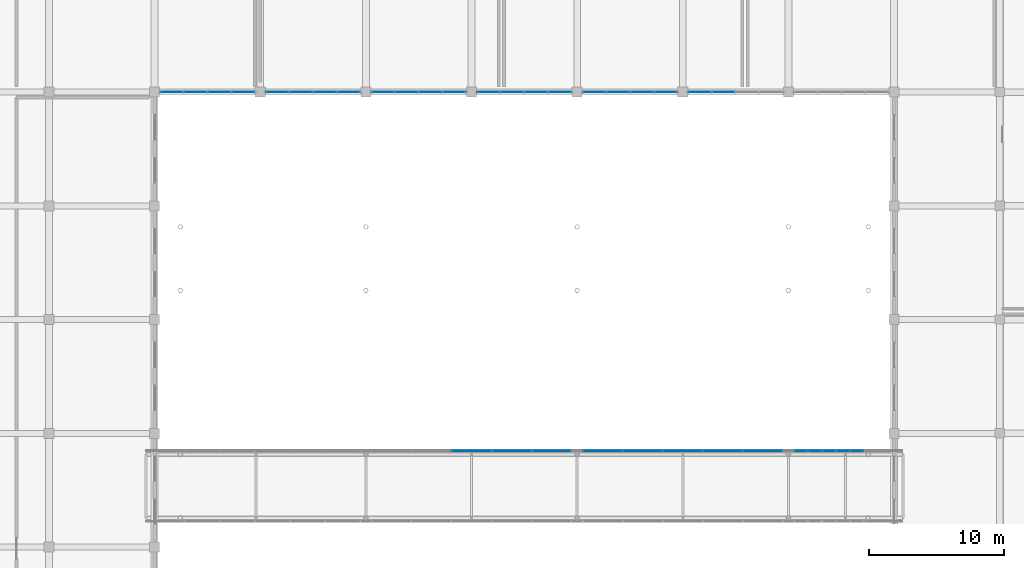
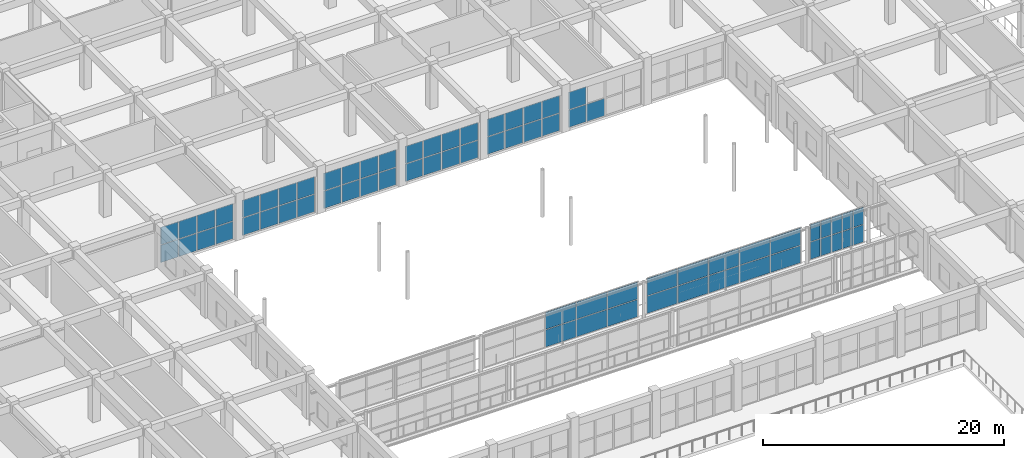
# One storey, part 144 of 175: 69 plates, 9 elements without a shape of their own.
"""IFC4 building model written with IfcOpenShell, lengths in metres."""

import ifcopenshell
import ifcopenshell.guid

model = None  # the IFC model being written
_history = None  # IfcOwnerHistory: only IFC2X3 demands one
_inside = {}  # id of a spatial element -> (the spatial element, [elements in it])
_under = {}  # id of a project, library or spatial element -> (it, [spatial elements below it])
_declared = {}  # id of a project -> (the project, [libraries it declares])
_typed = {}  # id of a type object -> (the type object, [elements of that type])
_made_of = {}  # id of a material, layer set ... -> (it, [elements and type objects made of it])


def new_model(schema):
    """Start an empty IFC model of exactly this schema.

    Asked for "IFC4X3", IfcOpenShell would pick the latest addendum, in which some entities
    have other attributes; the version numbers below select the first issue.
    IFC2X3 requires an IfcOwnerHistory on every rooted entity: one is made here for all.
    """
    global model, _history
    if schema == "IFC4X3":
        model = ifcopenshell.file(schema_version=(4, 3, 0, 0))
    else:
        model = ifcopenshell.file(schema=schema)
    _inside.clear()
    _under.clear()
    _declared.clear()
    _typed.clear()
    _made_of.clear()
    _history = None
    if model.schema == "IFC2X3":
        org = make("IfcOrganization", Name="unknown")
        user = make(
            "IfcPersonAndOrganization",
            ThePerson=make("IfcPerson", FamilyName="unknown"),
            TheOrganization=org,
        )
        app = make(
            "IfcApplication",
            ApplicationDeveloper=org,
            Version="unknown",
            ApplicationFullName="unknown",
            ApplicationIdentifier="unknown",
        )
        _history = make(
            "IfcOwnerHistory",
            OwningUser=user,
            OwningApplication=app,
            ChangeAction="ADDED",
            CreationDate=0,
        )
    return model


def make(cls, **values):
    """One entity of the class cls with the attributes given. An attribute that is None is left unset."""
    return model.create_entity(
        cls, **{name: value for name, value in values.items() if value is not None}
    )


def rooted(cls, **values):
    """An entity with a GlobalId (a new one), such as an element, a storey or a relation."""
    return make(cls, GlobalId=ifcopenshell.guid.new(), OwnerHistory=_history, **values)


def si_unit(unit_type, name, prefix=None):
    """IfcSIUnit, for example si_unit("LENGTHUNIT", "METRE", prefix="MILLI")."""
    return make("IfcSIUnit", UnitType=unit_type, Prefix=prefix, Name=name)


def assignment(units):
    """IfcUnitAssignment: the units of a project."""
    return None if units is None else make("IfcUnitAssignment", Units=units)


def point(xyz):
    """IfcCartesianPoint."""
    return None if xyz is None else make("IfcCartesianPoint", Coordinates=xyz)


def direction(xyz):
    """IfcDirection."""
    return None if xyz is None else make("IfcDirection", DirectionRatios=xyz)


def frame(location, z_axis=None, x_axis=None):
    """IfcAxis2Placement3D, a coordinate frame: its origin and axes. An axis left out is left unset."""
    return make(
        "IfcAxis2Placement3D",
        Location=point(location),
        Axis=direction(z_axis),
        RefDirection=direction(x_axis),
    )


def frame_2d(location, x_axis=None):
    """IfcAxis2Placement2D, a coordinate frame in the plane: its origin and x axis."""
    return make(
        "IfcAxis2Placement2D", Location=point(location), RefDirection=direction(x_axis)
    )


def origin():
    """The frame at (0, 0, 0) with its axes left unset."""
    return frame((0.0, 0.0, 0.0))


def origin_2d():
    """The frame at (0, 0) in the plane with its x axis left unset."""
    return frame_2d((0.0, 0.0))


def place(relative_to, where):
    """IfcLocalPlacement: puts the frame where relative to a parent placement (None: the world)."""
    return make(
        "IfcLocalPlacement", PlacementRelTo=relative_to, RelativePlacement=where
    )


def context(
    kind, dimensions, precision=None, world=None, true_north=None, identifier=None
):
    """IfcGeometricRepresentationContext, for example the 3D "Model" context."""
    return make(
        "IfcGeometricRepresentationContext",
        ContextIdentifier=identifier,
        ContextType=kind,
        CoordinateSpaceDimension=dimensions,
        Precision=precision,
        WorldCoordinateSystem=world,
        TrueNorth=true_north,
    )


def subcontext(parent, identifier, kind, view, scale=None):
    """IfcGeometricRepresentationSubContext, for example "Body" below "Model"."""
    return make(
        "IfcGeometricRepresentationSubContext",
        ContextIdentifier=identifier,
        ContextType=kind,
        ParentContext=parent,
        TargetScale=scale,
        TargetView=view,
    )


def project(units=None, contexts=None):
    """IfcProject with its units and contexts."""
    return rooted(
        "IfcProject",
        Name="project",
        RepresentationContexts=contexts,
        UnitsInContext=assignment(units),
    )


def spatial(cls, under=None, at=None, **own):
    """A site, building, storey or space (cls), placed at a placement, below another one or the project."""
    s = rooted(cls, ObjectPlacement=at, **own)
    if under is not None:
        _under.setdefault(under.id(), (under, []))[1].append(s)
    return s


def profile(cls, at=None, kind="AREA", **sizes):
    """A parametric profile (cls). Its sizes go by their IFC names, for example OverallWidth=200.0."""
    return make(cls, ProfileType=kind, Position=at, **sizes)


def rectangle(**sizes):
    """IfcRectangleProfileDef."""
    return profile("IfcRectangleProfileDef", **sizes)


def extrude(swept, where, along, depth):
    """IfcExtrudedAreaSolid: the profile swept, set in the frame where, extruded along a direction by depth."""
    return make(
        "IfcExtrudedAreaSolid",
        SweptArea=swept,
        Position=where,
        ExtrudedDirection=direction(along),
        Depth=depth,
    )


def shape(context_of_items, identifier, shape_type, items):
    """IfcShapeRepresentation: the items that make up one representation, for example the "Body"."""
    return make(
        "IfcShapeRepresentation",
        ContextOfItems=context_of_items,
        RepresentationIdentifier=identifier,
        RepresentationType=shape_type,
        Items=items,
    )


def material(Name=None, Category=None):
    """IfcMaterial."""
    return make("IfcMaterial", Name=Name, Category=Category)


def layer(
    of_material, thickness, ventilated=None, Name=None, Category=None, Priority=None
):
    """IfcMaterialLayer: one layer of a wall or slab, of a material (None: an air gap)."""
    return make(
        "IfcMaterialLayer",
        Material=of_material,
        LayerThickness=thickness,
        IsVentilated=ventilated,
        Name=Name,
        Category=Category,
        Priority=Priority,
    )


def layer_set(layers, Name=None):
    """IfcMaterialLayerSet."""
    return make("IfcMaterialLayerSet", MaterialLayers=layers, LayerSetName=Name)


def made_of(thing, what):
    """Note that an element or type object is made of a material, layer set ...; save() writes the relation."""
    if what is not None:
        _made_of.setdefault(what.id(), (what, []))[1].append(thing)
    return thing


def type_object(cls, material=None, **own):
    """A type object (cls), such as IfcWallType, which elements share."""
    return made_of(rooted(cls, **own), material)


def element(
    cls,
    number,
    at=None,
    inside=None,
    cuts=None,
    type_object=None,
    material=None,
    context=None,
    identifier="Body",
    shape_type=None,
    held_by="IfcProductDefinitionShape",
    body=None,
    shapes=None,
    **own,
):
    """One element of the class cls, such as IfcWall. Its Tag is "e" and its number.

    at: its placement. inside: the storey or other place that contains it. cuts: it is an
    opening in that element (IfcRelVoidsElement). A single representation is given by context,
    identifier, shape_type and body (its items); several are given by shapes. held_by: the class
    of the entity that holds the representations. save() writes the other relations.
    """
    e = rooted(cls, Tag="e%d" % number, ObjectPlacement=at, **own)
    if body is not None:
        shapes = [shape(context, identifier, shape_type, body)]
    if shapes is not None:
        e.Representation = make(held_by, Representations=shapes)
    if inside is not None:
        _inside.setdefault(inside.id(), (inside, []))[1].append(e)
    if cuts is not None:
        rooted(
            "IfcRelVoidsElement", RelatingBuildingElement=cuts, RelatedOpeningElement=e
        )
    if type_object is not None:
        _typed.setdefault(type_object.id(), (type_object, []))[1].append(e)
    return made_of(e, material)


def aggregate(whole, parts):
    """IfcRelAggregates: a whole, such as a stair, and the parts it consists of."""
    return rooted("IfcRelAggregates", RelatingObject=whole, RelatedObjects=parts)


def save(model, path):
    """Write the relations noted so far, then the file.

    IfcRelAggregates (storeys below a building ...), IfcRelContainedInSpatialStructure (elements
    in a storey), IfcRelDefinesByType, IfcRelAssociatesMaterial and IfcRelDeclares: one each for
    every whole, place, type object, material and project.
    """
    for whole, parts in _under.values():
        aggregate(whole, parts)
    for where, things in _inside.values():
        rooted(
            "IfcRelContainedInSpatialStructure",
            RelatedElements=things,
            RelatingStructure=where,
        )
    for kind, things in _typed.values():
        rooted("IfcRelDefinesByType", RelatedObjects=things, RelatingType=kind)
    for what, things in _made_of.values():
        rooted("IfcRelAssociatesMaterial", RelatedObjects=things, RelatingMaterial=what)
    for by, libraries in _declared.values():
        rooted("IfcRelDeclares", RelatingContext=by, RelatedDefinitions=libraries)
    model.write(path)


model = new_model("IFC4")

# Units and contexts
model_context = context("Model", 3, precision=1e-05, world=origin(), true_north=direction((0.0, 1.0)))
body_context = subcontext(model_context, "Body", "Model", "MODEL_VIEW")
ifc_project = project(units=[si_unit("LENGTHUNIT", "METRE"), si_unit("AREAUNIT", "SQUARE_METRE"), si_unit("VOLUMEUNIT", "CUBIC_METRE"), si_unit("PLANEANGLEUNIT", "RADIAN"), si_unit("MASSUNIT", "GRAM", prefix="KILO")], contexts=[model_context])

# Site, building, storey
site_placement = place(None, origin())
site = spatial("IfcSite", under=ifc_project, at=site_placement, CompositionType="ELEMENT")
building_placement = place(site_placement, origin())
building = spatial("IfcBuilding", under=site, at=building_placement, Name="Zizhar Promenade General Hospital", CompositionType="ELEMENT")
storey_placement = place(building_placement, frame((0.0, 0.0, 4.800048828125)))
storey = spatial("IfcBuildingStorey", under=building, at=storey_placement, Name="L01", CompositionType="ELEMENT", Elevation=4.800048828125)

# Curtain wall, plates
ifc_material_1 = material(Name="Anodised aluminium 6063-T6 and low-E glass", Category="aluminium")
ifc_layer_1 = layer(ifc_material_1, 0.159912109375)
ifc_layer_set_1 = layer_set([ifc_layer_1], Name="Anodised aluminium 6063-T6 and low-E glass")
curtain_wall_type_1 = type_object("IfcCurtainWallType", Name="CW-DT-MOD1", PredefinedType="NOTDEFINED", material=ifc_layer_set_1)
curtain_wall_1_placement = place(storey_placement, origin())
curtain_wall_1 = element("IfcCurtainWall", 1, at=curtain_wall_1_placement, inside=storey, type_object=curtain_wall_type_1, Name="Garden Court North Surgical Glazing L01-9", PredefinedType="NOTDEFINED")
ifc_material_2 = material(Name="Low-E solar-control glass", Category="glass")
ifc_layer_2 = layer(ifc_material_2, 0.031982421875)
ifc_layer_set_2 = layer_set([ifc_layer_2], Name="Low-E solar-control glass")
plate_type = type_object("IfcPlateType", Name="CWP-GLZ-32", PredefinedType="CURTAIN_PANEL", material=ifc_layer_set_2)
plate_1_placement = place(storey_placement, frame((76.735107421875, 92.39990234375, 0.06005859375), z_axis=(0.0, 0.0, 1.0), x_axis=(-1.0, 0.0, 0.0)))
plate_1 = element("IfcPlate", 2, at=plate_1_placement, type_object=plate_type, Name="CW-07 panel 1.1", PredefinedType="CURTAIN_PANEL", context=body_context, shape_type="SweptSolid", body=[
    extrude(rectangle(XDim=1.64990234375, YDim=0.031982421875, at=origin_2d()), origin(), (0.0, 0.0, 1.0), 1.75),
])
plate_2_placement = place(storey_placement, frame((76.735107421875, 92.39990234375, 1.869873046875), z_axis=(0.0, 0.0, 1.0), x_axis=(-1.0, 0.0, 0.0)))
plate_2 = element("IfcPlate", 3, at=plate_2_placement, type_object=plate_type, Name="CW-07 panel 1.2", PredefinedType="CURTAIN_PANEL", context=body_context, shape_type="SweptSolid", body=[
    extrude(rectangle(XDim=1.64990234375, YDim=0.031982421875, at=origin_2d()), origin(), (0.0, 0.0, 1.0), 1.75),
])
plate_3_placement = place(storey_placement, frame((74.985107421875, 92.39990234375, 0.06005859375), z_axis=(0.0, 0.0, 1.0), x_axis=(-1.0, 0.0, 0.0)))
plate_3 = element("IfcPlate", 4, at=plate_3_placement, type_object=plate_type, Name="CW-07 panel 2.1", PredefinedType="CURTAIN_PANEL", context=body_context, shape_type="SweptSolid", body=[
    extrude(rectangle(XDim=1.68994140625, YDim=0.031982421875, at=origin_2d()), origin(), (0.0, 0.0, 1.0), 1.75),
])
plate_4_placement = place(storey_placement, frame((74.985107421875, 92.39990234375, 1.869873046875), z_axis=(0.0, 0.0, 1.0), x_axis=(-1.0, 0.0, 0.0)))
plate_4 = element("IfcPlate", 5, at=plate_4_placement, type_object=plate_type, Name="CW-07 panel 2.2", PredefinedType="CURTAIN_PANEL", context=body_context, shape_type="SweptSolid", body=[
    extrude(rectangle(XDim=1.68994140625, YDim=0.031982421875, at=origin_2d()), origin(), (0.0, 0.0, 1.0), 1.75),
])
plate_5_placement = place(storey_placement, frame((73.215087890625, 92.39990234375, 0.06005859375), z_axis=(0.0, 0.0, 1.0), x_axis=(-1.0, 0.0, 0.0)))
plate_5 = element("IfcPlate", 6, at=plate_5_placement, type_object=plate_type, Name="CW-07 panel 3.1", PredefinedType="CURTAIN_PANEL", context=body_context, shape_type="SweptSolid", body=[
    extrude(rectangle(XDim=1.68994140625, YDim=0.031982421875, at=origin_2d()), origin(), (0.0, 0.0, 1.0), 1.75),
])
plate_6_placement = place(storey_placement, frame((73.215087890625, 92.39990234375, 1.869873046875), z_axis=(0.0, 0.0, 1.0), x_axis=(-1.0, 0.0, 0.0)))
plate_6 = element("IfcPlate", 7, at=plate_6_placement, type_object=plate_type, Name="CW-07 panel 3.2", PredefinedType="CURTAIN_PANEL", context=body_context, shape_type="SweptSolid", body=[
    extrude(rectangle(XDim=1.68994140625, YDim=0.031982421875, at=origin_2d()), origin(), (0.0, 0.0, 1.0), 1.75),
])
plate_7_placement = place(storey_placement, frame((71.465087890625, 92.39990234375, 0.06005859375), z_axis=(0.0, 0.0, 1.0), x_axis=(-1.0, 0.0, 0.0)))
plate_7 = element("IfcPlate", 8, at=plate_7_placement, type_object=plate_type, Name="CW-07 panel 4.1", PredefinedType="CURTAIN_PANEL", context=body_context, shape_type="SweptSolid", body=[
    extrude(rectangle(XDim=1.64990234375, YDim=0.031982421875, at=origin_2d()), origin(), (0.0, 0.0, 1.0), 1.75),
])
plate_8_placement = place(storey_placement, frame((71.465087890625, 92.39990234375, 1.869873046875), z_axis=(0.0, 0.0, 1.0), x_axis=(-1.0, 0.0, 0.0)))
plate_8 = element("IfcPlate", 9, at=plate_8_placement, type_object=plate_type, Name="CW-07 panel 4.2", PredefinedType="CURTAIN_PANEL", context=body_context, shape_type="SweptSolid", body=[
    extrude(rectangle(XDim=1.64990234375, YDim=0.031982421875, at=origin_2d()), origin(), (0.0, 0.0, 1.0), 1.75),
])
aggregate(curtain_wall_1, [plate_1, plate_2, plate_3, plate_4, plate_5, plate_6, plate_7, plate_8])

curtain_wall_2_placement = place(storey_placement, origin())
curtain_wall_2 = element("IfcCurtainWall", 10, at=curtain_wall_2_placement, inside=storey, type_object=curtain_wall_type_1, Name="Garden Court North Surgical Glazing L01-10", PredefinedType="NOTDEFINED")
plate_9_placement = place(storey_placement, frame((84.534912109375, 92.39990234375, 0.06005859375), z_axis=(0.0, 0.0, 1.0), x_axis=(-1.0, 0.0, 0.0)))
plate_9 = element("IfcPlate", 11, at=plate_9_placement, type_object=plate_type, Name="CW-07 panel 1.1", PredefinedType="CURTAIN_PANEL", context=body_context, shape_type="SweptSolid", body=[
    extrude(rectangle(XDim=1.64990234375, YDim=0.031982421875, at=origin_2d()), origin(), (0.0, 0.0, 1.0), 1.75),
])
plate_10_placement = place(storey_placement, frame((84.534912109375, 92.39990234375, 1.869873046875), z_axis=(0.0, 0.0, 1.0), x_axis=(-1.0, 0.0, 0.0)))
plate_10 = element("IfcPlate", 12, at=plate_10_placement, type_object=plate_type, Name="CW-07 panel 1.2", PredefinedType="CURTAIN_PANEL", context=body_context, shape_type="SweptSolid", body=[
    extrude(rectangle(XDim=1.64990234375, YDim=0.031982421875, at=origin_2d()), origin(), (0.0, 0.0, 1.0), 1.75),
])
plate_11_placement = place(storey_placement, frame((82.784912109375, 92.39990234375, 0.06005859375), z_axis=(0.0, 0.0, 1.0), x_axis=(-1.0, 0.0, 0.0)))
plate_11 = element("IfcPlate", 13, at=plate_11_placement, type_object=plate_type, Name="CW-07 panel 2.1", PredefinedType="CURTAIN_PANEL", context=body_context, shape_type="SweptSolid", body=[
    extrude(rectangle(XDim=1.68994140625, YDim=0.031982421875, at=origin_2d()), origin(), (0.0, 0.0, 1.0), 1.75),
])
plate_12_placement = place(storey_placement, frame((82.784912109375, 92.39990234375, 1.869873046875), z_axis=(0.0, 0.0, 1.0), x_axis=(-1.0, 0.0, 0.0)))
plate_12 = element("IfcPlate", 14, at=plate_12_placement, type_object=plate_type, Name="CW-07 panel 2.2", PredefinedType="CURTAIN_PANEL", context=body_context, shape_type="SweptSolid", body=[
    extrude(rectangle(XDim=1.68994140625, YDim=0.031982421875, at=origin_2d()), origin(), (0.0, 0.0, 1.0), 1.75),
])
plate_13_placement = place(storey_placement, frame((81.014892578125, 92.39990234375, 0.06005859375), z_axis=(0.0, 0.0, 1.0), x_axis=(-1.0, 0.0, 0.0)))
plate_13 = element("IfcPlate", 15, at=plate_13_placement, type_object=plate_type, Name="CW-07 panel 3.1", PredefinedType="CURTAIN_PANEL", context=body_context, shape_type="SweptSolid", body=[
    extrude(rectangle(XDim=1.68994140625, YDim=0.031982421875, at=origin_2d()), origin(), (0.0, 0.0, 1.0), 1.75),
])
plate_14_placement = place(storey_placement, frame((81.014892578125, 92.39990234375, 1.869873046875), z_axis=(0.0, 0.0, 1.0), x_axis=(-1.0, 0.0, 0.0)))
plate_14 = element("IfcPlate", 16, at=plate_14_placement, type_object=plate_type, Name="CW-07 panel 3.2", PredefinedType="CURTAIN_PANEL", context=body_context, shape_type="SweptSolid", body=[
    extrude(rectangle(XDim=1.68994140625, YDim=0.031982421875, at=origin_2d()), origin(), (0.0, 0.0, 1.0), 1.75),
])
plate_15_placement = place(storey_placement, frame((79.264892578125, 92.39990234375, 0.06005859375), z_axis=(0.0, 0.0, 1.0), x_axis=(-1.0, 0.0, 0.0)))
plate_15 = element("IfcPlate", 17, at=plate_15_placement, type_object=plate_type, Name="CW-07 panel 4.1", PredefinedType="CURTAIN_PANEL", context=body_context, shape_type="SweptSolid", body=[
    extrude(rectangle(XDim=1.64990234375, YDim=0.031982421875, at=origin_2d()), origin(), (0.0, 0.0, 1.0), 1.75),
])
plate_16_placement = place(storey_placement, frame((79.264892578125, 92.39990234375, 1.869873046875), z_axis=(0.0, 0.0, 1.0), x_axis=(-1.0, 0.0, 0.0)))
plate_16 = element("IfcPlate", 18, at=plate_16_placement, type_object=plate_type, Name="CW-07 panel 4.2", PredefinedType="CURTAIN_PANEL", context=body_context, shape_type="SweptSolid", body=[
    extrude(rectangle(XDim=1.64990234375, YDim=0.031982421875, at=origin_2d()), origin(), (0.0, 0.0, 1.0), 1.75),
])
aggregate(curtain_wall_2, [plate_9, plate_10, plate_11, plate_12, plate_13, plate_14, plate_15, plate_16])

curtain_wall_3_placement = place(storey_placement, origin())
curtain_wall_3 = element("IfcCurtainWall", 19, at=curtain_wall_3_placement, inside=storey, type_object=curtain_wall_type_1, Name="Garden Court North Surgical Glazing L01-11", PredefinedType="NOTDEFINED")
plate_17_placement = place(storey_placement, frame((92.3349609375, 92.39990234375, 0.06005859375), z_axis=(0.0, 0.0, 1.0), x_axis=(-1.0, 0.0, 0.0)))
plate_17 = element("IfcPlate", 20, at=plate_17_placement, type_object=plate_type, Name="CW-07 panel 1.1", PredefinedType="CURTAIN_PANEL", context=body_context, shape_type="SweptSolid", body=[
    extrude(rectangle(XDim=1.64990234375, YDim=0.031982421875, at=origin_2d()), origin(), (0.0, 0.0, 1.0), 1.75),
])
plate_18_placement = place(storey_placement, frame((92.3349609375, 92.39990234375, 1.869873046875), z_axis=(0.0, 0.0, 1.0), x_axis=(-1.0, 0.0, 0.0)))
plate_18 = element("IfcPlate", 21, at=plate_18_placement, type_object=plate_type, Name="CW-07 panel 1.2", PredefinedType="CURTAIN_PANEL", context=body_context, shape_type="SweptSolid", body=[
    extrude(rectangle(XDim=1.64990234375, YDim=0.031982421875, at=origin_2d()), origin(), (0.0, 0.0, 1.0), 1.75),
])
plate_19_placement = place(storey_placement, frame((90.5849609375, 92.39990234375, 0.06005859375), z_axis=(0.0, 0.0, 1.0), x_axis=(-1.0, 0.0, 0.0)))
plate_19 = element("IfcPlate", 22, at=plate_19_placement, type_object=plate_type, Name="CW-07 panel 2.1", PredefinedType="CURTAIN_PANEL", context=body_context, shape_type="SweptSolid", body=[
    extrude(rectangle(XDim=1.68994140625, YDim=0.031982421875, at=origin_2d()), origin(), (0.0, 0.0, 1.0), 1.75),
])
plate_20_placement = place(storey_placement, frame((90.5849609375, 92.39990234375, 1.869873046875), z_axis=(0.0, 0.0, 1.0), x_axis=(-1.0, 0.0, 0.0)))
plate_20 = element("IfcPlate", 23, at=plate_20_placement, type_object=plate_type, Name="CW-07 panel 2.2", PredefinedType="CURTAIN_PANEL", context=body_context, shape_type="SweptSolid", body=[
    extrude(rectangle(XDim=1.68994140625, YDim=0.031982421875, at=origin_2d()), origin(), (0.0, 0.0, 1.0), 1.75),
])
plate_21_placement = place(storey_placement, frame((88.81494140625, 92.39990234375, 0.06005859375), z_axis=(0.0, 0.0, 1.0), x_axis=(-1.0, 0.0, 0.0)))
plate_21 = element("IfcPlate", 24, at=plate_21_placement, type_object=plate_type, Name="CW-07 panel 3.1", PredefinedType="CURTAIN_PANEL", context=body_context, shape_type="SweptSolid", body=[
    extrude(rectangle(XDim=1.68994140625, YDim=0.031982421875, at=origin_2d()), origin(), (0.0, 0.0, 1.0), 1.75),
])
plate_22_placement = place(storey_placement, frame((88.81494140625, 92.39990234375, 1.869873046875), z_axis=(0.0, 0.0, 1.0), x_axis=(-1.0, 0.0, 0.0)))
plate_22 = element("IfcPlate", 25, at=plate_22_placement, type_object=plate_type, Name="CW-07 panel 3.2", PredefinedType="CURTAIN_PANEL", context=body_context, shape_type="SweptSolid", body=[
    extrude(rectangle(XDim=1.68994140625, YDim=0.031982421875, at=origin_2d()), origin(), (0.0, 0.0, 1.0), 1.75),
])
plate_23_placement = place(storey_placement, frame((87.06494140625, 92.39990234375, 0.06005859375), z_axis=(0.0, 0.0, 1.0), x_axis=(-1.0, 0.0, 0.0)))
plate_23 = element("IfcPlate", 26, at=plate_23_placement, type_object=plate_type, Name="CW-07 panel 4.1", PredefinedType="CURTAIN_PANEL", context=body_context, shape_type="SweptSolid", body=[
    extrude(rectangle(XDim=1.64990234375, YDim=0.031982421875, at=origin_2d()), origin(), (0.0, 0.0, 1.0), 1.75),
])
plate_24_placement = place(storey_placement, frame((87.06494140625, 92.39990234375, 1.869873046875), z_axis=(0.0, 0.0, 1.0), x_axis=(-1.0, 0.0, 0.0)))
plate_24 = element("IfcPlate", 27, at=plate_24_placement, type_object=plate_type, Name="CW-07 panel 4.2", PredefinedType="CURTAIN_PANEL", context=body_context, shape_type="SweptSolid", body=[
    extrude(rectangle(XDim=1.64990234375, YDim=0.031982421875, at=origin_2d()), origin(), (0.0, 0.0, 1.0), 1.75),
])
aggregate(curtain_wall_3, [plate_17, plate_18, plate_19, plate_20, plate_21, plate_22, plate_23, plate_24])

curtain_wall_4_placement = place(storey_placement, origin())
curtain_wall_4 = element("IfcCurtainWall", 28, at=curtain_wall_4_placement, inside=storey, type_object=curtain_wall_type_1, Name="Garden Court North Surgical Glazing L01-12", PredefinedType="NOTDEFINED")
plate_25_placement = place(storey_placement, frame((100.135009765625, 92.39990234375, 0.06005859375), z_axis=(0.0, 0.0, 1.0), x_axis=(-1.0, 0.0, 0.0)))
plate_25 = element("IfcPlate", 29, at=plate_25_placement, type_object=plate_type, Name="CW-07 panel 1.1", PredefinedType="CURTAIN_PANEL", context=body_context, shape_type="SweptSolid", body=[
    extrude(rectangle(XDim=1.64990234375, YDim=0.031982421875, at=origin_2d()), origin(), (0.0, 0.0, 1.0), 1.75),
])
plate_26_placement = place(storey_placement, frame((100.135009765625, 92.39990234375, 1.869873046875), z_axis=(0.0, 0.0, 1.0), x_axis=(-1.0, 0.0, 0.0)))
plate_26 = element("IfcPlate", 30, at=plate_26_placement, type_object=plate_type, Name="CW-07 panel 1.2", PredefinedType="CURTAIN_PANEL", context=body_context, shape_type="SweptSolid", body=[
    extrude(rectangle(XDim=1.64990234375, YDim=0.031982421875, at=origin_2d()), origin(), (0.0, 0.0, 1.0), 1.75),
])
plate_27_placement = place(storey_placement, frame((98.385009765625, 92.39990234375, 0.06005859375), z_axis=(0.0, 0.0, 1.0), x_axis=(-1.0, 0.0, 0.0)))
plate_27 = element("IfcPlate", 31, at=plate_27_placement, type_object=plate_type, Name="CW-07 panel 2.1", PredefinedType="CURTAIN_PANEL", context=body_context, shape_type="SweptSolid", body=[
    extrude(rectangle(XDim=1.68994140625, YDim=0.031982421875, at=origin_2d()), origin(), (0.0, 0.0, 1.0), 1.75),
])
plate_28_placement = place(storey_placement, frame((98.385009765625, 92.39990234375, 1.869873046875), z_axis=(0.0, 0.0, 1.0), x_axis=(-1.0, 0.0, 0.0)))
plate_28 = element("IfcPlate", 32, at=plate_28_placement, type_object=plate_type, Name="CW-07 panel 2.2", PredefinedType="CURTAIN_PANEL", context=body_context, shape_type="SweptSolid", body=[
    extrude(rectangle(XDim=1.68994140625, YDim=0.031982421875, at=origin_2d()), origin(), (0.0, 0.0, 1.0), 1.75),
])
plate_29_placement = place(storey_placement, frame((96.614990234375, 92.39990234375, 0.06005859375), z_axis=(0.0, 0.0, 1.0), x_axis=(-1.0, 0.0, 0.0)))
plate_29 = element("IfcPlate", 33, at=plate_29_placement, type_object=plate_type, Name="CW-07 panel 3.1", PredefinedType="CURTAIN_PANEL", context=body_context, shape_type="SweptSolid", body=[
    extrude(rectangle(XDim=1.68994140625, YDim=0.031982421875, at=origin_2d()), origin(), (0.0, 0.0, 1.0), 1.75),
])
plate_30_placement = place(storey_placement, frame((96.614990234375, 92.39990234375, 1.869873046875), z_axis=(0.0, 0.0, 1.0), x_axis=(-1.0, 0.0, 0.0)))
plate_30 = element("IfcPlate", 34, at=plate_30_placement, type_object=plate_type, Name="CW-07 panel 3.2", PredefinedType="CURTAIN_PANEL", context=body_context, shape_type="SweptSolid", body=[
    extrude(rectangle(XDim=1.68994140625, YDim=0.031982421875, at=origin_2d()), origin(), (0.0, 0.0, 1.0), 1.75),
])
plate_31_placement = place(storey_placement, frame((94.864990234375, 92.39990234375, 0.06005859375), z_axis=(0.0, 0.0, 1.0), x_axis=(-1.0, 0.0, 0.0)))
plate_31 = element("IfcPlate", 35, at=plate_31_placement, type_object=plate_type, Name="CW-07 panel 4.1", PredefinedType="CURTAIN_PANEL", context=body_context, shape_type="SweptSolid", body=[
    extrude(rectangle(XDim=1.64990234375, YDim=0.031982421875, at=origin_2d()), origin(), (0.0, 0.0, 1.0), 1.75),
])
plate_32_placement = place(storey_placement, frame((94.864990234375, 92.39990234375, 1.869873046875), z_axis=(0.0, 0.0, 1.0), x_axis=(-1.0, 0.0, 0.0)))
plate_32 = element("IfcPlate", 36, at=plate_32_placement, type_object=plate_type, Name="CW-07 panel 4.2", PredefinedType="CURTAIN_PANEL", context=body_context, shape_type="SweptSolid", body=[
    extrude(rectangle(XDim=1.64990234375, YDim=0.031982421875, at=origin_2d()), origin(), (0.0, 0.0, 1.0), 1.75),
])
aggregate(curtain_wall_4, [plate_25, plate_26, plate_27, plate_28, plate_29, plate_30, plate_31, plate_32])

curtain_wall_5_placement = place(storey_placement, origin())
curtain_wall_5 = element("IfcCurtainWall", 37, at=curtain_wall_5_placement, inside=storey, type_object=curtain_wall_type_1, Name="Garden Court North Surgical Glazing L01-13", PredefinedType="NOTDEFINED")
plate_33_placement = place(storey_placement, frame((107.93505859375, 92.39990234375, 0.06005859375), z_axis=(0.0, 0.0, 1.0), x_axis=(-1.0, 0.0, 0.0)))
plate_33 = element("IfcPlate", 38, at=plate_33_placement, type_object=plate_type, Name="CW-07 panel 1.1", PredefinedType="CURTAIN_PANEL", context=body_context, shape_type="SweptSolid", body=[
    extrude(rectangle(XDim=1.64990234375, YDim=0.031982421875, at=origin_2d()), origin(), (0.0, 0.0, 1.0), 1.75),
])
plate_34_placement = place(storey_placement, frame((107.93505859375, 92.39990234375, 1.869873046875), z_axis=(0.0, 0.0, 1.0), x_axis=(-1.0, 0.0, 0.0)))
plate_34 = element("IfcPlate", 39, at=plate_34_placement, type_object=plate_type, Name="CW-07 panel 1.2", PredefinedType="CURTAIN_PANEL", context=body_context, shape_type="SweptSolid", body=[
    extrude(rectangle(XDim=1.64990234375, YDim=0.031982421875, at=origin_2d()), origin(), (0.0, 0.0, 1.0), 1.75),
])
plate_35_placement = place(storey_placement, frame((106.18505859375, 92.39990234375, 0.06005859375), z_axis=(0.0, 0.0, 1.0), x_axis=(-1.0, 0.0, 0.0)))
plate_35 = element("IfcPlate", 40, at=plate_35_placement, type_object=plate_type, Name="CW-07 panel 2.1", PredefinedType="CURTAIN_PANEL", context=body_context, shape_type="SweptSolid", body=[
    extrude(rectangle(XDim=1.68994140625, YDim=0.031982421875, at=origin_2d()), origin(), (0.0, 0.0, 1.0), 1.75),
])
plate_36_placement = place(storey_placement, frame((106.18505859375, 92.39990234375, 1.869873046875), z_axis=(0.0, 0.0, 1.0), x_axis=(-1.0, 0.0, 0.0)))
plate_36 = element("IfcPlate", 41, at=plate_36_placement, type_object=plate_type, Name="CW-07 panel 2.2", PredefinedType="CURTAIN_PANEL", context=body_context, shape_type="SweptSolid", body=[
    extrude(rectangle(XDim=1.68994140625, YDim=0.031982421875, at=origin_2d()), origin(), (0.0, 0.0, 1.0), 1.75),
])
plate_37_placement = place(storey_placement, frame((104.4150390625, 92.39990234375, 0.06005859375), z_axis=(0.0, 0.0, 1.0), x_axis=(-1.0, 0.0, 0.0)))
plate_37 = element("IfcPlate", 42, at=plate_37_placement, type_object=plate_type, Name="CW-07 panel 3.1", PredefinedType="CURTAIN_PANEL", context=body_context, shape_type="SweptSolid", body=[
    extrude(rectangle(XDim=1.68994140625, YDim=0.031982421875, at=origin_2d()), origin(), (0.0, 0.0, 1.0), 1.75),
])
plate_38_placement = place(storey_placement, frame((104.4150390625, 92.39990234375, 1.869873046875), z_axis=(0.0, 0.0, 1.0), x_axis=(-1.0, 0.0, 0.0)))
plate_38 = element("IfcPlate", 43, at=plate_38_placement, type_object=plate_type, Name="CW-07 panel 3.2", PredefinedType="CURTAIN_PANEL", context=body_context, shape_type="SweptSolid", body=[
    extrude(rectangle(XDim=1.68994140625, YDim=0.031982421875, at=origin_2d()), origin(), (0.0, 0.0, 1.0), 1.75),
])
plate_39_placement = place(storey_placement, frame((102.6650390625, 92.39990234375, 0.06005859375), z_axis=(0.0, 0.0, 1.0), x_axis=(-1.0, 0.0, 0.0)))
plate_39 = element("IfcPlate", 44, at=plate_39_placement, type_object=plate_type, Name="CW-07 panel 4.1", PredefinedType="CURTAIN_PANEL", context=body_context, shape_type="SweptSolid", body=[
    extrude(rectangle(XDim=1.64990234375, YDim=0.031982421875, at=origin_2d()), origin(), (0.0, 0.0, 1.0), 1.75),
])
plate_40_placement = place(storey_placement, frame((102.6650390625, 92.39990234375, 1.869873046875), z_axis=(0.0, 0.0, 1.0), x_axis=(-1.0, 0.0, 0.0)))
plate_40 = element("IfcPlate", 45, at=plate_40_placement, type_object=plate_type, Name="CW-07 panel 4.2", PredefinedType="CURTAIN_PANEL", context=body_context, shape_type="SweptSolid", body=[
    extrude(rectangle(XDim=1.64990234375, YDim=0.031982421875, at=origin_2d()), origin(), (0.0, 0.0, 1.0), 1.75),
])
aggregate(curtain_wall_5, [plate_33, plate_34, plate_35, plate_36, plate_37, plate_38, plate_39, plate_40])

curtain_wall_6_placement = place(storey_placement, origin())
curtain_wall_6 = element("IfcCurtainWall", 46, at=curtain_wall_6_placement, inside=storey, type_object=curtain_wall_type_1, Name="Garden Court North Surgical Glazing L01-14", PredefinedType="NOTDEFINED")
plate_41_placement = place(storey_placement, frame((112.215087890625, 92.39990234375, 0.06005859375), z_axis=(0.0, 0.0, 1.0), x_axis=(-1.0, 0.0, 0.0)))
plate_41 = element("IfcPlate", 47, at=plate_41_placement, type_object=plate_type, Name="CW-07 panel 3.1", PredefinedType="CURTAIN_PANEL", context=body_context, shape_type="SweptSolid", body=[
    extrude(rectangle(XDim=1.68994140625, YDim=0.031982421875, at=origin_2d()), origin(), (0.0, 0.0, 1.0), 1.75),
])
plate_42_placement = place(storey_placement, frame((110.465087890625, 92.39990234375, 0.06005859375), z_axis=(0.0, 0.0, 1.0), x_axis=(-1.0, 0.0, 0.0)))
plate_42 = element("IfcPlate", 48, at=plate_42_placement, type_object=plate_type, Name="CW-07 panel 4.1", PredefinedType="CURTAIN_PANEL", context=body_context, shape_type="SweptSolid", body=[
    extrude(rectangle(XDim=1.64990234375, YDim=0.031982421875, at=origin_2d()), origin(), (0.0, 0.0, 1.0), 1.75),
])
plate_43_placement = place(storey_placement, frame((110.465087890625, 92.39990234375, 1.869873046875), z_axis=(0.0, 0.0, 1.0), x_axis=(-1.0, 0.0, 0.0)))
plate_43 = element("IfcPlate", 49, at=plate_43_placement, type_object=plate_type, Name="CW-07 panel 4.2", PredefinedType="CURTAIN_PANEL", context=body_context, shape_type="SweptSolid", body=[
    extrude(rectangle(XDim=1.64990234375, YDim=0.031982421875, at=origin_2d()), origin(), (0.0, 0.0, 1.0), 1.75),
])
aggregate(curtain_wall_6, [plate_41, plate_42, plate_43])

ifc_material_3 = material(Name="Anodised aluminium 6063-T6 and low-E glass", Category="aluminium")
ifc_layer_3 = layer(ifc_material_3, 0.159912109375)
ifc_layer_set_3 = layer_set([ifc_layer_3], Name="Anodised aluminium 6063-T6 and low-E glass")
curtain_wall_type_2 = type_object("IfcCurtainWallType", Name="CW-SKY-GLZ", PredefinedType="NOTDEFINED", material=ifc_layer_set_3)
curtain_wall_7_placement = place(storey_placement, origin())
curtain_wall_7 = element("IfcCurtainWall", 50, at=curtain_wall_7_placement, inside=storey, type_object=curtain_wall_type_2, Name="Courtyard Clinical Skybridge Level L01 North Glazing 2", PredefinedType="NOTDEFINED")
plate_44_placement = place(storey_placement, frame((93.60009765625, 65.89990234375, 0.06005859375), z_axis=(0.0, 0.0, 1.0), x_axis=(1.0, 0.0, 0.0)))
plate_44 = element("IfcPlate", 51, at=plate_44_placement, type_object=plate_type, Name="CW-15 panel 3.1", PredefinedType="CURTAIN_PANEL", context=body_context, shape_type="SweptSolid", body=[
    extrude(rectangle(XDim=2.89990234375, YDim=0.031982421875, at=origin_2d()), origin(), (0.0, 0.0, 1.0), 1.72998046875),
])
plate_45_placement = place(storey_placement, frame((93.60009765625, 65.89990234375, 1.849853515625), z_axis=(0.0, 0.0, 1.0), x_axis=(1.0, 0.0, 0.0)))
plate_45 = element("IfcPlate", 52, at=plate_45_placement, type_object=plate_type, Name="CW-15 panel 3.2", PredefinedType="CURTAIN_PANEL", context=body_context, shape_type="SweptSolid", body=[
    extrude(rectangle(XDim=2.89990234375, YDim=0.031982421875, at=origin_2d()), origin(), (0.0, 0.0, 1.0), 1.72998046875),
])
plate_46_placement = place(storey_placement, frame((96.56005859375, 65.89990234375, 0.06005859375), z_axis=(0.0, 0.0, 1.0), x_axis=(1.0, 0.0, 0.0)))
plate_46 = element("IfcPlate", 53, at=plate_46_placement, type_object=plate_type, Name="CW-15 panel 4.1", PredefinedType="CURTAIN_PANEL", context=body_context, shape_type="SweptSolid", body=[
    extrude(rectangle(XDim=2.89990234375, YDim=0.031982421875, at=origin_2d()), origin(), (0.0, 0.0, 1.0), 1.72998046875),
])
plate_47_placement = place(storey_placement, frame((96.56005859375, 65.89990234375, 1.849853515625), z_axis=(0.0, 0.0, 1.0), x_axis=(1.0, 0.0, 0.0)))
plate_47 = element("IfcPlate", 54, at=plate_47_placement, type_object=plate_type, Name="CW-15 panel 4.2", PredefinedType="CURTAIN_PANEL", context=body_context, shape_type="SweptSolid", body=[
    extrude(rectangle(XDim=2.89990234375, YDim=0.031982421875, at=origin_2d()), origin(), (0.0, 0.0, 1.0), 1.72998046875),
])
plate_48_placement = place(storey_placement, frame((99.5048828125, 65.89990234375, 0.06005859375), z_axis=(0.0, 0.0, 1.0), x_axis=(1.0, 0.0, 0.0)))
plate_48 = element("IfcPlate", 55, at=plate_48_placement, type_object=plate_type, Name="CW-15 panel 5.1", PredefinedType="CURTAIN_PANEL", context=body_context, shape_type="SweptSolid", body=[
    extrude(rectangle(XDim=2.8701171875, YDim=0.031982421875, at=origin_2d()), origin(), (0.0, 0.0, 1.0), 1.72998046875),
])
plate_49_placement = place(storey_placement, frame((99.5048828125, 65.89990234375, 1.849853515625), z_axis=(0.0, 0.0, 1.0), x_axis=(1.0, 0.0, 0.0)))
plate_49 = element("IfcPlate", 56, at=plate_49_placement, type_object=plate_type, Name="CW-15 panel 5.2", PredefinedType="CURTAIN_PANEL", context=body_context, shape_type="SweptSolid", body=[
    extrude(rectangle(XDim=2.8701171875, YDim=0.031982421875, at=origin_2d()), origin(), (0.0, 0.0, 1.0), 1.72998046875),
])
aggregate(curtain_wall_7, [plate_44, plate_45, plate_46, plate_47, plate_48, plate_49])

curtain_wall_8_placement = place(storey_placement, origin())
curtain_wall_8 = element("IfcCurtainWall", 57, at=curtain_wall_8_placement, inside=storey, type_object=curtain_wall_type_2, Name="Courtyard Clinical Skybridge Level L01 North Glazing 3", PredefinedType="NOTDEFINED")
plate_50_placement = place(storey_placement, frame((103.294921875, 65.89990234375, 0.06005859375), z_axis=(0.0, 0.0, 1.0), x_axis=(1.0, 0.0, 0.0)))
plate_50 = element("IfcPlate", 58, at=plate_50_placement, type_object=plate_type, Name="CW-15 panel 1.1", PredefinedType="CURTAIN_PANEL", context=body_context, shape_type="SweptSolid", body=[
    extrude(rectangle(XDim=2.8701171875, YDim=0.031982421875, at=origin_2d()), origin(), (0.0, 0.0, 1.0), 1.72998046875),
])
plate_51_placement = place(storey_placement, frame((103.294921875, 65.89990234375, 1.849853515625), z_axis=(0.0, 0.0, 1.0), x_axis=(1.0, 0.0, 0.0)))
plate_51 = element("IfcPlate", 59, at=plate_51_placement, type_object=plate_type, Name="CW-15 panel 1.2", PredefinedType="CURTAIN_PANEL", context=body_context, shape_type="SweptSolid", body=[
    extrude(rectangle(XDim=2.8701171875, YDim=0.031982421875, at=origin_2d()), origin(), (0.0, 0.0, 1.0), 1.72998046875),
])
plate_52_placement = place(storey_placement, frame((106.239990234375, 65.89990234375, 0.06005859375), z_axis=(0.0, 0.0, 1.0), x_axis=(1.0, 0.0, 0.0)))
plate_52 = element("IfcPlate", 60, at=plate_52_placement, type_object=plate_type, Name="CW-15 panel 2.1", PredefinedType="CURTAIN_PANEL", context=body_context, shape_type="SweptSolid", body=[
    extrude(rectangle(XDim=2.89990234375, YDim=0.031982421875, at=origin_2d()), origin(), (0.0, 0.0, 1.0), 1.72998046875),
])
plate_53_placement = place(storey_placement, frame((106.239990234375, 65.89990234375, 1.849853515625), z_axis=(0.0, 0.0, 1.0), x_axis=(1.0, 0.0, 0.0)))
plate_53 = element("IfcPlate", 61, at=plate_53_placement, type_object=plate_type, Name="CW-15 panel 2.2", PredefinedType="CURTAIN_PANEL", context=body_context, shape_type="SweptSolid", body=[
    extrude(rectangle(XDim=2.89990234375, YDim=0.031982421875, at=origin_2d()), origin(), (0.0, 0.0, 1.0), 1.72998046875),
])
plate_54_placement = place(storey_placement, frame((109.199951171875, 65.89990234375, 0.06005859375), z_axis=(0.0, 0.0, 1.0), x_axis=(1.0, 0.0, 0.0)))
plate_54 = element("IfcPlate", 62, at=plate_54_placement, type_object=plate_type, Name="CW-15 panel 3.1", PredefinedType="CURTAIN_PANEL", context=body_context, shape_type="SweptSolid", body=[
    extrude(rectangle(XDim=2.89990234375, YDim=0.031982421875, at=origin_2d()), origin(), (0.0, 0.0, 1.0), 1.72998046875),
])
plate_55_placement = place(storey_placement, frame((109.199951171875, 65.89990234375, 1.849853515625), z_axis=(0.0, 0.0, 1.0), x_axis=(1.0, 0.0, 0.0)))
plate_55 = element("IfcPlate", 63, at=plate_55_placement, type_object=plate_type, Name="CW-15 panel 3.2", PredefinedType="CURTAIN_PANEL", context=body_context, shape_type="SweptSolid", body=[
    extrude(rectangle(XDim=2.89990234375, YDim=0.031982421875, at=origin_2d()), origin(), (0.0, 0.0, 1.0), 1.72998046875),
])
plate_56_placement = place(storey_placement, frame((112.159912109375, 65.89990234375, 0.06005859375), z_axis=(0.0, 0.0, 1.0), x_axis=(1.0, 0.0, 0.0)))
plate_56 = element("IfcPlate", 64, at=plate_56_placement, type_object=plate_type, Name="CW-15 panel 4.1", PredefinedType="CURTAIN_PANEL", context=body_context, shape_type="SweptSolid", body=[
    extrude(rectangle(XDim=2.89990234375, YDim=0.031982421875, at=origin_2d()), origin(), (0.0, 0.0, 1.0), 1.72998046875),
])
plate_57_placement = place(storey_placement, frame((112.159912109375, 65.89990234375, 1.849853515625), z_axis=(0.0, 0.0, 1.0), x_axis=(1.0, 0.0, 0.0)))
plate_57 = element("IfcPlate", 65, at=plate_57_placement, type_object=plate_type, Name="CW-15 panel 4.2", PredefinedType="CURTAIN_PANEL", context=body_context, shape_type="SweptSolid", body=[
    extrude(rectangle(XDim=2.89990234375, YDim=0.031982421875, at=origin_2d()), origin(), (0.0, 0.0, 1.0), 1.72998046875),
])
plate_58_placement = place(storey_placement, frame((115.10498046875, 65.89990234375, 0.06005859375), z_axis=(0.0, 0.0, 1.0), x_axis=(1.0, 0.0, 0.0)))
plate_58 = element("IfcPlate", 66, at=plate_58_placement, type_object=plate_type, Name="CW-15 panel 5.1", PredefinedType="CURTAIN_PANEL", context=body_context, shape_type="SweptSolid", body=[
    extrude(rectangle(XDim=2.8701171875, YDim=0.031982421875, at=origin_2d()), origin(), (0.0, 0.0, 1.0), 1.72998046875),
])
plate_59_placement = place(storey_placement, frame((115.10498046875, 65.89990234375, 1.849853515625), z_axis=(0.0, 0.0, 1.0), x_axis=(1.0, 0.0, 0.0)))
plate_59 = element("IfcPlate", 67, at=plate_59_placement, type_object=plate_type, Name="CW-15 panel 5.2", PredefinedType="CURTAIN_PANEL", context=body_context, shape_type="SweptSolid", body=[
    extrude(rectangle(XDim=2.8701171875, YDim=0.031982421875, at=origin_2d()), origin(), (0.0, 0.0, 1.0), 1.72998046875),
])
aggregate(curtain_wall_8, [plate_50, plate_51, plate_52, plate_53, plate_54, plate_55, plate_56, plate_57, plate_58, plate_59])

curtain_wall_9_placement = place(storey_placement, origin())
curtain_wall_9 = element("IfcCurtainWall", 68, at=curtain_wall_9_placement, inside=storey, type_object=curtain_wall_type_2, Name="Courtyard Clinical Skybridge Level L01 North Glazing 4", PredefinedType="NOTDEFINED")
plate_60_placement = place(storey_placement, frame((117.93505859375, 65.89990234375, 0.06005859375), z_axis=(0.0, 0.0, 1.0), x_axis=(1.0, 0.0, 0.0)))
plate_60 = element("IfcPlate", 69, at=plate_60_placement, type_object=plate_type, Name="CW-15 panel 1.1", PredefinedType="CURTAIN_PANEL", context=body_context, shape_type="SweptSolid", body=[
    extrude(rectangle(XDim=0.949951171875, YDim=0.031982421875, at=origin_2d()), origin(), (0.0, 0.0, 1.0), 1.72998046875),
])
plate_61_placement = place(storey_placement, frame((117.93505859375, 65.89990234375, 1.849853515625), z_axis=(0.0, 0.0, 1.0), x_axis=(1.0, 0.0, 0.0)))
plate_61 = element("IfcPlate", 70, at=plate_61_placement, type_object=plate_type, Name="CW-15 panel 1.2", PredefinedType="CURTAIN_PANEL", context=body_context, shape_type="SweptSolid", body=[
    extrude(rectangle(XDim=0.949951171875, YDim=0.031982421875, at=origin_2d()), origin(), (0.0, 0.0, 1.0), 1.72998046875),
])
plate_62_placement = place(storey_placement, frame((118.9599609375, 65.89990234375, 0.06005859375), z_axis=(0.0, 0.0, 1.0), x_axis=(1.0, 0.0, 0.0)))
plate_62 = element("IfcPlate", 71, at=plate_62_placement, type_object=plate_type, Name="CW-15 panel 2.1", PredefinedType="CURTAIN_PANEL", context=body_context, shape_type="SweptSolid", body=[
    extrude(rectangle(XDim=0.97998046875, YDim=0.031982421875, at=origin_2d()), origin(), (0.0, 0.0, 1.0), 1.72998046875),
])
plate_63_placement = place(storey_placement, frame((118.9599609375, 65.89990234375, 1.849853515625), z_axis=(0.0, 0.0, 1.0), x_axis=(1.0, 0.0, 0.0)))
plate_63 = element("IfcPlate", 72, at=plate_63_placement, type_object=plate_type, Name="CW-15 panel 2.2", PredefinedType="CURTAIN_PANEL", context=body_context, shape_type="SweptSolid", body=[
    extrude(rectangle(XDim=0.97998046875, YDim=0.031982421875, at=origin_2d()), origin(), (0.0, 0.0, 1.0), 1.72998046875),
])
plate_64_placement = place(storey_placement, frame((120.0, 65.89990234375, 0.06005859375), z_axis=(0.0, 0.0, 1.0), x_axis=(1.0, 0.0, 0.0)))
plate_64 = element("IfcPlate", 73, at=plate_64_placement, type_object=plate_type, Name="CW-15 panel 3.1", PredefinedType="CURTAIN_PANEL", context=body_context, shape_type="SweptSolid", body=[
    extrude(rectangle(XDim=0.97998046875, YDim=0.031982421875, at=origin_2d()), origin(), (0.0, 0.0, 1.0), 1.72998046875),
])
plate_65_placement = place(storey_placement, frame((120.0, 65.89990234375, 1.849853515625), z_axis=(0.0, 0.0, 1.0), x_axis=(1.0, 0.0, 0.0)))
plate_65 = element("IfcPlate", 74, at=plate_65_placement, type_object=plate_type, Name="CW-15 panel 3.2", PredefinedType="CURTAIN_PANEL", context=body_context, shape_type="SweptSolid", body=[
    extrude(rectangle(XDim=0.97998046875, YDim=0.031982421875, at=origin_2d()), origin(), (0.0, 0.0, 1.0), 1.72998046875),
])
plate_66_placement = place(storey_placement, frame((121.0400390625, 65.89990234375, 0.06005859375), z_axis=(0.0, 0.0, 1.0), x_axis=(1.0, 0.0, 0.0)))
plate_66 = element("IfcPlate", 75, at=plate_66_placement, type_object=plate_type, Name="CW-15 panel 4.1", PredefinedType="CURTAIN_PANEL", context=body_context, shape_type="SweptSolid", body=[
    extrude(rectangle(XDim=0.97998046875, YDim=0.031982421875, at=origin_2d()), origin(), (0.0, 0.0, 1.0), 1.72998046875),
])
plate_67_placement = place(storey_placement, frame((121.0400390625, 65.89990234375, 1.849853515625), z_axis=(0.0, 0.0, 1.0), x_axis=(1.0, 0.0, 0.0)))
plate_67 = element("IfcPlate", 76, at=plate_67_placement, type_object=plate_type, Name="CW-15 panel 4.2", PredefinedType="CURTAIN_PANEL", context=body_context, shape_type="SweptSolid", body=[
    extrude(rectangle(XDim=0.97998046875, YDim=0.031982421875, at=origin_2d()), origin(), (0.0, 0.0, 1.0), 1.72998046875),
])
plate_68_placement = place(storey_placement, frame((122.06494140625, 65.89990234375, 0.06005859375), z_axis=(0.0, 0.0, 1.0), x_axis=(1.0, 0.0, 0.0)))
plate_68 = element("IfcPlate", 77, at=plate_68_placement, type_object=plate_type, Name="CW-15 panel 5.1", PredefinedType="CURTAIN_PANEL", context=body_context, shape_type="SweptSolid", body=[
    extrude(rectangle(XDim=0.949951171875, YDim=0.031982421875, at=origin_2d()), origin(), (0.0, 0.0, 1.0), 1.72998046875),
])
plate_69_placement = place(storey_placement, frame((122.06494140625, 65.89990234375, 1.849853515625), z_axis=(0.0, 0.0, 1.0), x_axis=(1.0, 0.0, 0.0)))
plate_69 = element("IfcPlate", 78, at=plate_69_placement, type_object=plate_type, Name="CW-15 panel 5.2", PredefinedType="CURTAIN_PANEL", context=body_context, shape_type="SweptSolid", body=[
    extrude(rectangle(XDim=0.949951171875, YDim=0.031982421875, at=origin_2d()), origin(), (0.0, 0.0, 1.0), 1.72998046875),
])
aggregate(curtain_wall_9, [plate_60, plate_61, plate_62, plate_63, plate_64, plate_65, plate_66, plate_67, plate_68, plate_69])

save(model, "model.ifc")
